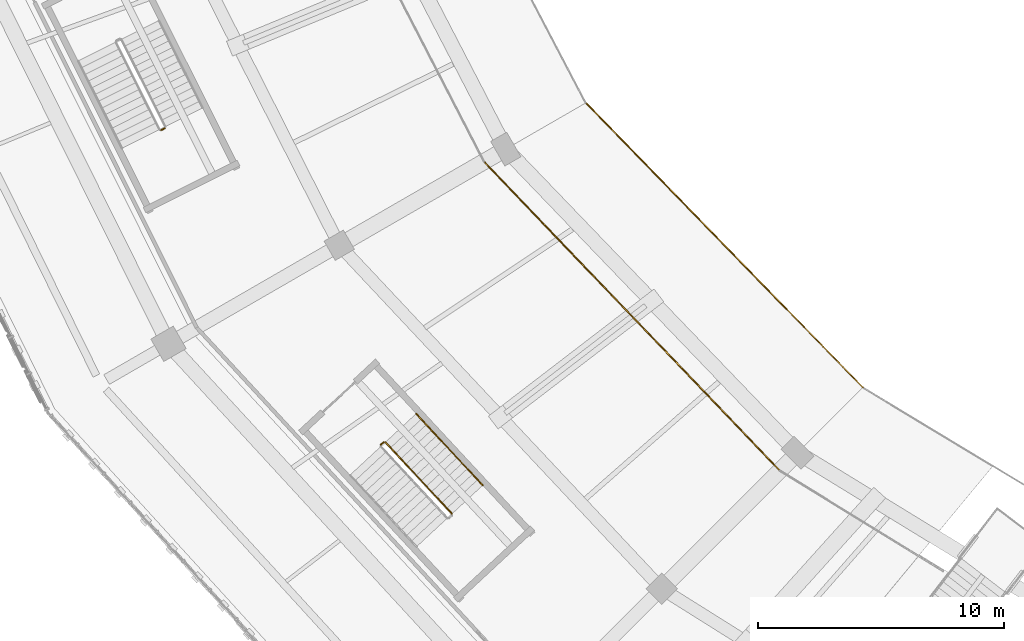
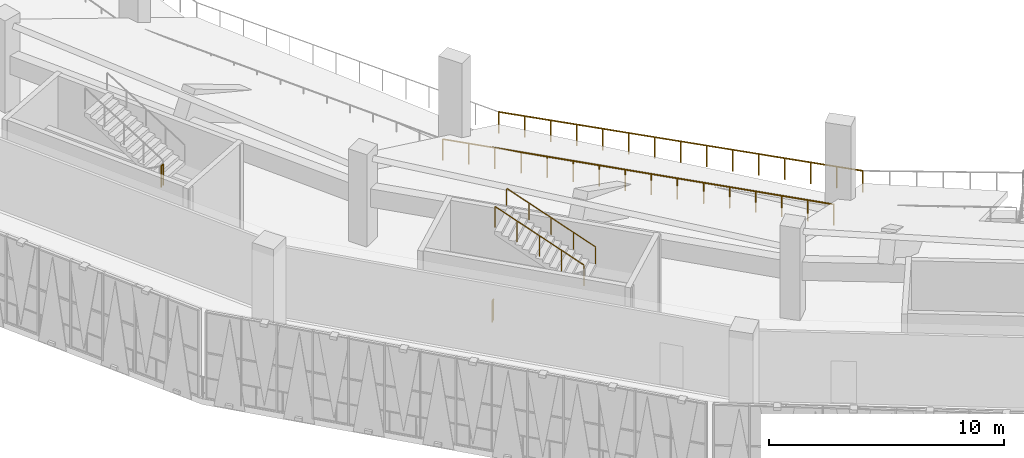
# One storey, part 114 of 152: 6 railings.
"""IFC4 building model written with IfcOpenShell, lengths in metres."""

from ifc_helpers import new_model, si_unit, direction, frame, origin, origin_2d, place, context, subcontext, project, spatial, circle, extrude, material, type_object, element, save


model = new_model("IFC4")

# Units and contexts
model_context = context("Model", 3, precision=1e-05, world=origin(), true_north=direction((0.0, 1.0)))
body_context = subcontext(model_context, "Body", "Model", "MODEL_VIEW")
ifc_project = project(units=[si_unit("LENGTHUNIT", "METRE"), si_unit("AREAUNIT", "SQUARE_METRE"), si_unit("VOLUMEUNIT", "CUBIC_METRE"), si_unit("PLANEANGLEUNIT", "RADIAN"), si_unit("MASSUNIT", "GRAM", prefix="KILO")], contexts=[model_context])

# Site, building, storey
site_placement = place(None, origin())
site = spatial("IfcSite", under=ifc_project, at=site_placement, CompositionType="ELEMENT")
building_placement = place(site_placement, origin())
building = spatial("IfcBuilding", under=site, at=building_placement, Name="Zevraka Park Crest Stadium", CompositionType="ELEMENT")
storey_placement = place(building_placement, frame((0.0, 0.0, 15.0)))
storey = spatial("IfcBuildingStorey", under=building, at=storey_placement, Name="L03", CompositionType="ELEMENT", Elevation=15.0)

# Railings
ifc_material_1 = material(Name="Galvanised and bronze-finished steel balustrade", Category="steel")
railing_type_1 = type_object("IfcRailingType", Name="GR01", PredefinedType="GUARDRAIL", material=ifc_material_1)
railing_1_placement = place(storey_placement, frame((46.60302734375, 61.73193359375, 0.0)))
element("IfcRailing", 1, at=railing_1_placement, inside=storey, type_object=railing_type_1, Name="Deck Edge Protection Guardrail GR01 L03-82", PredefinedType="GUARDRAIL", context=body_context, shape_type="SweptSolid", body=[
    extrude(circle(Radius=0.02392578125, at=origin_2d()), frame((0.0, 0.0, 1.076171875), z_axis=(0.691696813611, -0.722188007405, 0.0), x_axis=(0.722188007405, 0.691696813611, 0.0)), (0.0, 0.0, 1.0), 17.343017578125),
    extrude(circle(Radius=0.02099609375, at=origin_2d()), origin(), (0.0, 0.0, 1.0), 1.052001953125),
    extrude(circle(Radius=0.02099609375, at=origin_2d()), frame((0.7998046875, -0.8349609375, 0.0)), (0.0, 0.0, 1.0), 1.052001953125),
    extrude(circle(Radius=0.02099609375, at=origin_2d()), frame((1.599365234375, -1.669921875, 0.0)), (0.0, 0.0, 1.0), 1.052001953125),
    extrude(circle(Radius=0.02099609375, at=origin_2d()), frame((2.399169921875, -2.5048828125, 0.0)), (0.0, 0.0, 1.0), 1.052001953125),
    extrude(circle(Radius=0.02099609375, at=origin_2d()), frame((3.198974609375, -3.340087890625, 0.0)), (0.0, 0.0, 1.0), 1.052001953125),
    extrude(circle(Radius=0.02099609375, at=origin_2d()), frame((3.998779296875, -4.175048828125, 0.0)), (0.0, 0.0, 1.0), 1.052001953125),
    extrude(circle(Radius=0.02099609375, at=origin_2d()), frame((4.79833984375, -5.010009765625, 0.0)), (0.0, 0.0, 1.0), 1.052001953125),
    extrude(circle(Radius=0.02099609375, at=origin_2d()), frame((5.59814453125, -5.844970703125, 0.0)), (0.0, 0.0, 1.0), 1.052001953125),
    extrude(circle(Radius=0.02099609375, at=origin_2d()), frame((6.39794921875, -6.679931640625, 0.0)), (0.0, 0.0, 1.0), 1.052001953125),
    extrude(circle(Radius=0.02099609375, at=origin_2d()), frame((7.19775390625, -7.514892578125, 0.0)), (0.0, 0.0, 1.0), 1.052001953125),
    extrude(circle(Radius=0.02099609375, at=origin_2d()), frame((7.997314453125, -8.349853515625, 0.0)), (0.0, 0.0, 1.0), 1.052001953125),
    extrude(circle(Radius=0.02099609375, at=origin_2d()), frame((8.797119140625, -9.184814453125, 0.0)), (0.0, 0.0, 1.0), 1.052001953125),
    extrude(circle(Radius=0.02099609375, at=origin_2d()), frame((9.596923828125, -10.02001953125, 0.0)), (0.0, 0.0, 1.0), 1.052001953125),
    extrude(circle(Radius=0.02099609375, at=origin_2d()), frame((10.396728515625, -10.85498046875, 0.0)), (0.0, 0.0, 1.0), 1.052001953125),
    extrude(circle(Radius=0.02099609375, at=origin_2d()), frame((11.1962890625, -11.68994140625, 0.0)), (0.0, 0.0, 1.0), 1.052001953125),
    extrude(circle(Radius=0.02099609375, at=origin_2d()), frame((11.99609375, -12.52490234375, 0.0)), (0.0, 0.0, 1.0), 1.052001953125),
])
ifc_material_2 = material(Name="Laminated glass and stainless steel sightline bowl guard", Category="steel")
railing_type_2 = type_object("IfcRailingType", Name="GR02", PredefinedType="GUARDRAIL", material=ifc_material_2)
railing_2_placement = place(storey_placement, frame((50.72900390625, 64.125, -1.5)))
element("IfcRailing", 2, at=railing_2_placement, inside=storey, type_object=railing_type_2, Name="Upper Tier Cantilever Sightline Guard GR02 14", PredefinedType="GUARDRAIL", context=body_context, shape_type="SweptSolid", body=[
    extrude(circle(Radius=0.02392578125, at=origin_2d()), frame((0.0, 0.0, 1.09619140625), z_axis=(0.697644105553, -0.716444486326, 0.0), x_axis=(0.716444486326, 0.697644105553, 0.0)), (0.0, 0.0, 1.0), 16.115478515625),
    extrude(circle(Radius=0.02099609375, at=origin_2d()), origin(), (0.0, 0.0, 1.0), 1.072021484375),
    extrude(circle(Radius=0.02099609375, at=origin_2d()), frame((0.802978515625, -0.82470703125, 0.0)), (0.0, 0.0, 1.0), 1.072021484375),
    extrude(circle(Radius=0.02099609375, at=origin_2d()), frame((1.606201171875, -1.6494140625, 0.0)), (0.0, 0.0, 1.0), 1.072021484375),
    extrude(circle(Radius=0.02099609375, at=origin_2d()), frame((2.4091796875, -2.47412109375, 0.0)), (0.0, 0.0, 1.0), 1.072021484375),
    extrude(circle(Radius=0.02099609375, at=origin_2d()), frame((3.212158203125, -3.298828125, 0.0)), (0.0, 0.0, 1.0), 1.072021484375),
    extrude(circle(Radius=0.02099609375, at=origin_2d()), frame((4.015380859375, -4.12353515625, 0.0)), (0.0, 0.0, 1.0), 1.072021484375),
    extrude(circle(Radius=0.02099609375, at=origin_2d()), frame((4.818359375, -4.9482421875, 0.0)), (0.0, 0.0, 1.0), 1.072021484375),
    extrude(circle(Radius=0.02099609375, at=origin_2d()), frame((5.62158203125, -5.77294921875, 0.0)), (0.0, 0.0, 1.0), 1.072021484375),
    extrude(circle(Radius=0.02099609375, at=origin_2d()), frame((6.424560546875, -6.59765625, 0.0)), (0.0, 0.0, 1.0), 1.072021484375),
    extrude(circle(Radius=0.02099609375, at=origin_2d()), frame((7.2275390625, -7.42236328125, 0.0)), (0.0, 0.0, 1.0), 1.072021484375),
    extrude(circle(Radius=0.02099609375, at=origin_2d()), frame((8.03076171875, -8.2470703125, 0.0)), (0.0, 0.0, 1.0), 1.072021484375),
    extrude(circle(Radius=0.02099609375, at=origin_2d()), frame((8.833740234375, -9.07177734375, 0.0)), (0.0, 0.0, 1.0), 1.072021484375),
    extrude(circle(Radius=0.02099609375, at=origin_2d()), frame((9.63671875, -9.896484375, 0.0)), (0.0, 0.0, 1.0), 1.072021484375),
    extrude(circle(Radius=0.02099609375, at=origin_2d()), frame((10.43994140625, -10.72119140625, 0.0)), (0.0, 0.0, 1.0), 1.072021484375),
    extrude(circle(Radius=0.02099609375, at=origin_2d()), frame((11.242919921875, -11.5458984375, 0.0)), (0.0, 0.0, 1.0), 1.072021484375),
])
ifc_material_3 = material(Name="Powder-coated tubular steel stairwell guard", Category="steel")
railing_type_3 = type_object("IfcRailingType", Name="GR03", PredefinedType="GUARDRAIL", material=ifc_material_3)
railing_3_placement = place(storey_placement, frame((33.49658203125, 63.019287109375, 2.39990234375)))
element("IfcRailing", 3, at=railing_3_placement, inside=storey, type_object=railing_type_3, Name="L03 ST14 stair guard 2", PredefinedType="GUARDRAIL", context=body_context, shape_type="SweptSolid", body=[
    extrude(circle(Radius=0.02392578125, at=origin_2d()), frame((0.0, 0.0, 1.076171875), z_axis=(0.893816245171, 0.44843340628, 0.0), x_axis=(-0.44843340628, 0.893816245171, 0.0)), (0.0, 0.0, 1.0), 0.16015625),
    extrude(circle(Radius=0.02099609375, at=origin_2d()), origin(), (0.0, 0.0, 1.0), 1.052001953125),
    extrude(circle(Radius=0.02099609375, at=origin_2d()), frame((0.14306640625, 0.07177734375, 0.0)), (0.0, 0.0, 1.0), 1.052001953125),
])
railing_4_placement = place(storey_placement, frame((45.298095703125, 47.45263671875, 2.571533203125)))
element("IfcRailing", 4, at=railing_4_placement, inside=storey, type_object=railing_type_3, Name="L03 ST15 stair guard 3", PredefinedType="GUARDRAIL", context=body_context, shape_type="SweptSolid", body=[
    extrude(circle(Radius=0.02392578125, at=origin_2d()), frame((0.0, 0.0, 1.076171875), z_axis=(-0.593016024023, 0.638962957094, 0.489957482557), x_axis=(-0.732968909084, -0.680262139412, 0.0)), (0.0, 0.0, 1.0), 4.54833984375),
    extrude(circle(Radius=0.02099609375, at=origin_2d()), origin(), (0.0, 0.0, 1.0), 1.052001953125),
    extrude(circle(Radius=0.02099609375, at=origin_2d()), frame((-0.67431640625, 0.7265625, 0.55712890625)), (0.0, 0.0, 1.0), 1.052001953125),
    extrude(circle(Radius=0.02099609375, at=origin_2d()), frame((-1.3486328125, 1.453125, 1.1142578125)), (0.0, 0.0, 1.0), 1.052001953125),
    extrude(circle(Radius=0.02099609375, at=origin_2d()), frame((-2.02294921875, 2.1796875, 1.67138671875)), (0.0, 0.0, 1.0), 1.052001953125),
    extrude(circle(Radius=0.02099609375, at=origin_2d()), frame((-2.697265625, 2.90625, 2.228515625)), (0.0, 0.0, 1.0), 1.052001953125),
])
railing_5_placement = place(storey_placement, frame((42.4130859375, 50.252685546875, 0.0)))
element("IfcRailing", 5, at=railing_5_placement, inside=storey, type_object=railing_type_3, Name="L03 ST15 stair guard 4", PredefinedType="GUARDRAIL", context=body_context, shape_type="SweptSolid", body=[
    extrude(circle(Radius=0.02392578125, at=origin_2d()), frame((0.0, 0.0, 1.076171875), z_axis=(0.732576022975, 0.680685221348, 0.0), x_axis=(-0.680685221348, 0.732576022975, 0.0)), (0.0, 0.0, 1.0), 0.159912109375),
    extrude(circle(Radius=0.02099609375, at=origin_2d()), origin(), (0.0, 0.0, 1.0), 1.052001953125),
    extrude(circle(Radius=0.02099609375, at=origin_2d()), frame((0.1171875, 0.10888671875, 0.0)), (0.0, 0.0, 1.0), 1.052001953125),
])
ifc_material_4 = material(Name="Brushed stainless steel continuous handrail", Category="steel")
railing_type_4 = type_object("IfcRailingType", Name="HR01", PredefinedType="HANDRAIL", material=ifc_material_4)
railing_6_placement = place(storey_placement, frame((46.544189453125, 48.609130859375, 2.571533203125)))
element("IfcRailing", 6, at=railing_6_placement, inside=storey, type_object=railing_type_4, Name="L03 ST15 stair handrail 2", PredefinedType="HANDRAIL", context=body_context, shape_type="SweptSolid", body=[
    extrude(circle(Radius=0.02392578125, at=origin_2d()), frame((0.0, 0.0, 0.8759765625), z_axis=(-0.593016024023, 0.638962957094, 0.489957482557), x_axis=(-0.732968909084, -0.680262139412, 0.0)), (0.0, 0.0, 1.0), 4.54833984375),
    extrude(circle(Radius=0.02099609375, at=origin_2d()), origin(), (0.0, 0.0, 1.0), 0.851806640625),
    extrude(circle(Radius=0.02099609375, at=origin_2d()), frame((-0.67431640625, 0.7265625, 0.55712890625)), (0.0, 0.0, 1.0), 0.851806640625),
    extrude(circle(Radius=0.02099609375, at=origin_2d()), frame((-1.3486328125, 1.453125, 1.1142578125)), (0.0, 0.0, 1.0), 0.851806640625),
    extrude(circle(Radius=0.02099609375, at=origin_2d()), frame((-2.02294921875, 2.1796875, 1.67138671875)), (0.0, 0.0, 1.0), 0.851806640625),
    extrude(circle(Radius=0.02099609375, at=origin_2d()), frame((-2.697265625, 2.90625, 2.228515625)), (0.0, 0.0, 1.0), 0.851806640625),
])

save(model, "model.ifc")
